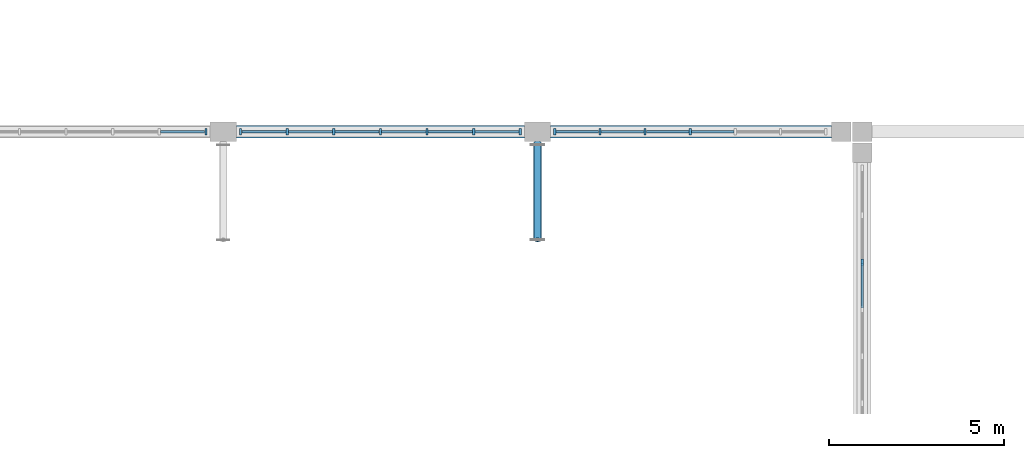
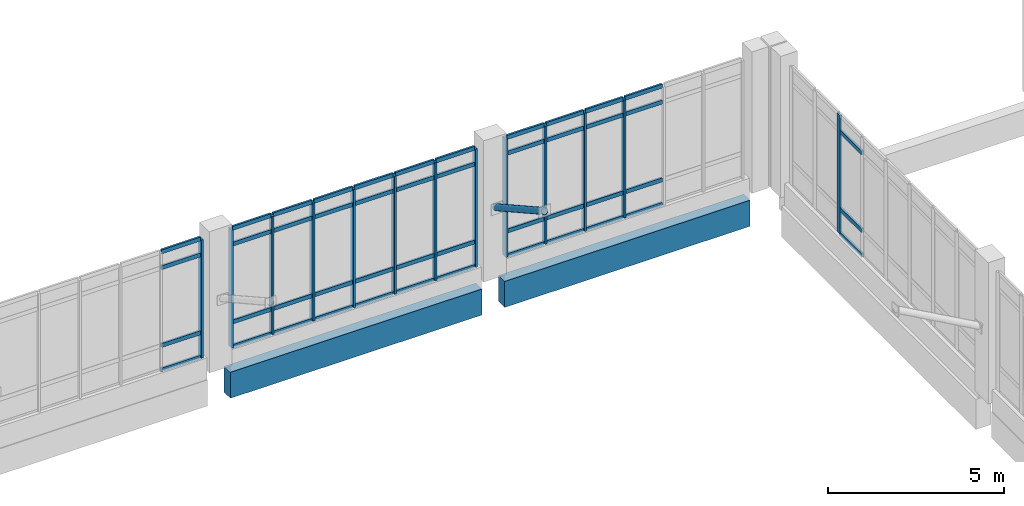
# One storey, part 42 of 110: 61 members, 2 beams, 4 elements without a shape of their own.
"""IFC4 building model written with IfcOpenShell, lengths in metres."""

from ifc_helpers import new_model, si_unit, direction, frame, origin, origin_2d, place, context, subcontext, project, spatial, rectangle, hollow_circle, extrude, material, layer, layer_set, material_profile, profile_set, type_object, element, aggregate, save


model = new_model("IFC4")

# Units and contexts
model_context = context("Model", 3, precision=1e-05, world=origin(), true_north=direction((0.0, 1.0)))
body_context = subcontext(model_context, "Body", "Model", "MODEL_VIEW")
ifc_project = project(units=[si_unit("LENGTHUNIT", "METRE"), si_unit("AREAUNIT", "SQUARE_METRE"), si_unit("VOLUMEUNIT", "CUBIC_METRE"), si_unit("PLANEANGLEUNIT", "RADIAN"), si_unit("MASSUNIT", "GRAM", prefix="KILO")], contexts=[model_context])

# Site, building, storey
site_placement = place(None, origin())
site = spatial("IfcSite", under=ifc_project, at=site_placement, CompositionType="ELEMENT")
building_placement = place(site_placement, origin())
building = spatial("IfcBuilding", under=site, at=building_placement, Name="Zacnel Wholesale Market", CompositionType="ELEMENT")
storey_placement = place(building_placement, frame((0.0, 0.0, 6.300048828125)))
storey = spatial("IfcBuildingStorey", under=building, at=storey_placement, Name="L02", CompositionType="ELEMENT", Elevation=6.300048828125)

# Beams
ifc_material_1 = material(Name="Precast concrete C45/55", Category="concrete")
ifc_material_profile_1 = material_profile(ifc_material_1, rectangle(XDim=0.35009765625, YDim=0.89990234375, at=origin_2d()), Name="SP 350x900")
ifc_profile_set_1 = profile_set([ifc_material_profile_1], Name="Precast concrete C45/55")
beam_type = type_object("IfcBeamType", Name="BM-SP900", PredefinedType="SPANDREL", material=ifc_profile_set_1)
beam_1_placement = place(storey_placement, frame((126.375, 96.300048828125, -0.75), z_axis=(1.0, 0.0, 0.0), x_axis=(0.0, 1.0, 0.0)))
element("IfcBeam", 1, at=beam_1_placement, inside=storey, type_object=beam_type, Name="Precast girder X-0235", PredefinedType="SPANDREL", context=body_context, shape_type="SweptSolid", body=[
    extrude(rectangle(XDim=0.35009765625, YDim=0.89990234375, at=origin_2d()), origin(), (0.0, 0.0, 1.0), 8.25),
])
beam_2_placement = place(storey_placement, frame((135.375, 96.300048828125, -0.75), z_axis=(1.0, 0.0, 0.0), x_axis=(0.0, 1.0, 0.0)))
element("IfcBeam", 2, at=beam_2_placement, inside=storey, type_object=beam_type, Name="Precast girder X-0236", PredefinedType="SPANDREL", context=body_context, shape_type="SweptSolid", body=[
    extrude(rectangle(XDim=0.35009765625, YDim=0.89990234375, at=origin_2d()), origin(), (0.0, 0.0, 1.0), 8.050048828125),
])

# Curtain wall, member
ifc_material_2 = material(Name="Anodised aluminium", Category="aluminium")
ifc_layer = layer(ifc_material_2, 0.159912109375)
ifc_layer_set = layer_set([ifc_layer], Name="Anodised aluminium")
curtain_wall_type = type_object("IfcCurtainWallType", Name="CW-NAVE-4200", PredefinedType="NOTDEFINED", material=ifc_layer_set)
curtain_wall_1_placement = place(storey_placement, origin())
curtain_wall_1 = element("IfcCurtainWall", 3, at=curtain_wall_1_placement, inside=storey, type_object=curtain_wall_type, Name="Curtain wall ENV-R2-CW-L02-025", PredefinedType="NOTDEFINED")
ifc_material_3 = material(Name="Anodised aluminium", Category="aluminium")
ifc_material_profile_2 = material_profile(ifc_material_3, rectangle(XDim=0.06494140625, YDim=0.179931640625, at=origin_2d()), Name="AW-MULLION 65x180")
ifc_profile_set_2 = profile_set([ifc_material_profile_2], Name="Anodised aluminium")
member_type_1 = type_object("IfcMemberType", Name="CWM-MUL-03", PredefinedType="MULLION", material=ifc_profile_set_2)
member_1_placement = place(storey_placement, frame((125.5048828125, 96.300048828125, 0.449951171875), z_axis=(0.0, 0.0, 1.0), x_axis=(1.0, 0.0, 0.0)))
member_1 = element("IfcMember", 4, at=member_1_placement, type_object=member_type_1, Name="ENV-R2-CW-L02-025 mullion 07", PredefinedType="MULLION", context=body_context, shape_type="SweptSolid", body=[
    extrude(rectangle(XDim=0.06494140625, YDim=0.179931640625, at=origin_2d()), origin(), (0.0, 0.0, 1.0), 4.10009765625),
])

# Curtain wall, members
curtain_wall_2_placement = place(storey_placement, origin())
curtain_wall_2 = element("IfcCurtainWall", 5, at=curtain_wall_2_placement, inside=storey, type_object=curtain_wall_type, Name="Curtain wall ENV-R2-CW-L02-026", PredefinedType="NOTDEFINED")
member_2_placement = place(storey_placement, frame((126.4951171875, 96.300048828125, 0.449951171875), z_axis=(0.0, 0.0, 1.0), x_axis=(1.0, 0.0, 0.0)))
member_2 = element("IfcMember", 6, at=member_2_placement, type_object=member_type_1, Name="ENV-R2-CW-L02-026 mullion 01", PredefinedType="MULLION", context=body_context, shape_type="SweptSolid", body=[
    extrude(rectangle(XDim=0.06494140625, YDim=0.179931640625, at=origin_2d()), origin(), (0.0, 0.0, 1.0), 4.10009765625),
])
member_3_placement = place(storey_placement, frame((127.830078125, 96.300048828125, 0.449951171875), z_axis=(0.0, 0.0, 1.0), x_axis=(1.0, 0.0, 0.0)))
member_3 = element("IfcMember", 7, at=member_3_placement, type_object=member_type_1, Name="ENV-R2-CW-L02-026 mullion 02", PredefinedType="MULLION", context=body_context, shape_type="SweptSolid", body=[
    extrude(rectangle(XDim=0.06494140625, YDim=0.179931640625, at=origin_2d()), origin(), (0.0, 0.0, 1.0), 4.10009765625),
])
member_4_placement = place(storey_placement, frame((129.1650390625, 96.300048828125, 0.449951171875), z_axis=(0.0, 0.0, 1.0), x_axis=(1.0, 0.0, 0.0)))
member_4 = element("IfcMember", 8, at=member_4_placement, type_object=member_type_1, Name="ENV-R2-CW-L02-026 mullion 03", PredefinedType="MULLION", context=body_context, shape_type="SweptSolid", body=[
    extrude(rectangle(XDim=0.06494140625, YDim=0.179931640625, at=origin_2d()), origin(), (0.0, 0.0, 1.0), 4.10009765625),
])
member_5_placement = place(storey_placement, frame((130.5, 96.300048828125, 0.449951171875), z_axis=(0.0, 0.0, 1.0), x_axis=(1.0, 0.0, 0.0)))
member_5 = element("IfcMember", 9, at=member_5_placement, type_object=member_type_1, Name="ENV-R2-CW-L02-026 mullion 04", PredefinedType="MULLION", context=body_context, shape_type="SweptSolid", body=[
    extrude(rectangle(XDim=0.06494140625, YDim=0.179931640625, at=origin_2d()), origin(), (0.0, 0.0, 1.0), 4.10009765625),
])
member_6_placement = place(storey_placement, frame((131.8349609375, 96.300048828125, 0.449951171875), z_axis=(0.0, 0.0, 1.0), x_axis=(1.0, 0.0, 0.0)))
member_6 = element("IfcMember", 10, at=member_6_placement, type_object=member_type_1, Name="ENV-R2-CW-L02-026 mullion 05", PredefinedType="MULLION", context=body_context, shape_type="SweptSolid", body=[
    extrude(rectangle(XDim=0.06494140625, YDim=0.179931640625, at=origin_2d()), origin(), (0.0, 0.0, 1.0), 4.10009765625),
])
member_7_placement = place(storey_placement, frame((133.169921875, 96.300048828125, 0.449951171875), z_axis=(0.0, 0.0, 1.0), x_axis=(1.0, 0.0, 0.0)))
member_7 = element("IfcMember", 11, at=member_7_placement, type_object=member_type_1, Name="ENV-R2-CW-L02-026 mullion 06", PredefinedType="MULLION", context=body_context, shape_type="SweptSolid", body=[
    extrude(rectangle(XDim=0.06494140625, YDim=0.179931640625, at=origin_2d()), origin(), (0.0, 0.0, 1.0), 4.10009765625),
])
member_8_placement = place(storey_placement, frame((134.5048828125, 96.300048828125, 0.449951171875), z_axis=(0.0, 0.0, 1.0), x_axis=(1.0, 0.0, 0.0)))
member_8 = element("IfcMember", 12, at=member_8_placement, type_object=member_type_1, Name="ENV-R2-CW-L02-026 mullion 07", PredefinedType="MULLION", context=body_context, shape_type="SweptSolid", body=[
    extrude(rectangle(XDim=0.06494140625, YDim=0.179931640625, at=origin_2d()), origin(), (0.0, 0.0, 1.0), 4.10009765625),
])

curtain_wall_3_placement = place(storey_placement, origin())
curtain_wall_3 = element("IfcCurtainWall", 13, at=curtain_wall_3_placement, inside=storey, type_object=curtain_wall_type, Name="Curtain wall ENV-R2-CW-L02-027", PredefinedType="NOTDEFINED")
member_9_placement = place(storey_placement, frame((135.4951171875, 96.300048828125, 0.449951171875), z_axis=(0.0, 0.0, 1.0), x_axis=(1.0, 0.0, 0.0)))
member_9 = element("IfcMember", 14, at=member_9_placement, type_object=member_type_1, Name="ENV-R2-CW-L02-027 mullion 01", PredefinedType="MULLION", context=body_context, shape_type="SweptSolid", body=[
    extrude(rectangle(XDim=0.06494140625, YDim=0.179931640625, at=origin_2d()), origin(), (0.0, 0.0, 1.0), 4.10009765625),
])
member_10_placement = place(storey_placement, frame((136.78759765625, 96.300048828125, 0.449951171875), z_axis=(0.0, 0.0, 1.0), x_axis=(1.0, 0.0, 0.0)))
member_10 = element("IfcMember", 15, at=member_10_placement, type_object=member_type_1, Name="ENV-R2-CW-L02-027 mullion 02", PredefinedType="MULLION", context=body_context, shape_type="SweptSolid", body=[
    extrude(rectangle(XDim=0.06494140625, YDim=0.179931640625, at=origin_2d()), origin(), (0.0, 0.0, 1.0), 4.10009765625),
])
member_11_placement = place(storey_placement, frame((138.080078125, 96.300048828125, 0.449951171875), z_axis=(0.0, 0.0, 1.0), x_axis=(1.0, 0.0, 0.0)))
member_11 = element("IfcMember", 16, at=member_11_placement, type_object=member_type_1, Name="ENV-R2-CW-L02-027 mullion 03", PredefinedType="MULLION", context=body_context, shape_type="SweptSolid", body=[
    extrude(rectangle(XDim=0.06494140625, YDim=0.179931640625, at=origin_2d()), origin(), (0.0, 0.0, 1.0), 4.10009765625),
])
member_12_placement = place(storey_placement, frame((139.37255859375, 96.300048828125, 0.449951171875), z_axis=(0.0, 0.0, 1.0), x_axis=(1.0, 0.0, 0.0)))
member_12 = element("IfcMember", 17, at=member_12_placement, type_object=member_type_1, Name="ENV-R2-CW-L02-027 mullion 04", PredefinedType="MULLION", context=body_context, shape_type="SweptSolid", body=[
    extrude(rectangle(XDim=0.06494140625, YDim=0.179931640625, at=origin_2d()), origin(), (0.0, 0.0, 1.0), 4.10009765625),
])

# Curtain wall, member
curtain_wall_4_placement = place(storey_placement, origin())
curtain_wall_4 = element("IfcCurtainWall", 18, at=curtain_wall_4_placement, inside=storey, type_object=curtain_wall_type, Name="Curtain wall ENV-R2-CW-L02-045", PredefinedType="NOTDEFINED")
member_13_placement = place(storey_placement, frame((144.300048828125, 92.561279296875, 0.449951171875), z_axis=(0.0, 0.0, 1.0), x_axis=(1.0, 0.0, 0.0)))
member_13 = element("IfcMember", 19, at=member_13_placement, type_object=member_type_1, Name="ENV-R2-CW-L02-045 mullion 07", PredefinedType="MULLION", context=body_context, shape_type="SweptSolid", body=[
    extrude(rectangle(XDim=0.06494140625, YDim=0.179931640625, at=origin_2d()), origin(), (0.0, 0.0, 1.0), 4.10009765625),
])

# Member
ifc_material_4 = material(Name="Anodised aluminium", Category="aluminium")
ifc_material_profile_3 = material_profile(ifc_material_4, rectangle(XDim=0.06494140625, YDim=0.139892578125, at=origin_2d()), Name="AW-TRANSOM 65x140")
ifc_profile_set_3 = profile_set([ifc_material_profile_3], Name="Anodised aluminium")
member_type_2 = type_object("IfcMemberType", Name="CWM-TRN-03", PredefinedType="USERDEFINED", material=ifc_profile_set_3)
member_14_placement = place(storey_placement, frame((124.205078125, 96.300048828125, 0.449951171875), z_axis=(1.0, 0.0, 0.0), x_axis=(0.0, 1.0, 0.0)))
member_14 = element("IfcMember", 20, at=member_14_placement, type_object=member_type_2, Name="ENV-R2-CW-L02-025 transom 6-1", ObjectType="TRANSOM", PredefinedType="USERDEFINED", context=body_context, shape_type="SweptSolid", body=[
    extrude(rectangle(XDim=0.06494140625, YDim=0.139892578125, at=origin_2d()), origin(), (0.0, 0.0, 1.0), 1.264892578125),
])

member_15_placement = place(storey_placement, frame((124.205078125, 96.300048828125, 1.300048828125), z_axis=(1.0, 0.0, 0.0), x_axis=(0.0, 1.0, 0.0)))
member_15 = element("IfcMember", 21, at=member_15_placement, type_object=member_type_2, Name="ENV-R2-CW-L02-025 transom 6-2", ObjectType="TRANSOM", PredefinedType="USERDEFINED", context=body_context, shape_type="SweptSolid", body=[
    extrude(rectangle(XDim=0.06494140625, YDim=0.139892578125, at=origin_2d()), origin(), (0.0, 0.0, 1.0), 1.264892578125),
])

member_16_placement = place(storey_placement, frame((124.205078125, 96.300048828125, 4.0), z_axis=(1.0, 0.0, 0.0), x_axis=(0.0, 1.0, 0.0)))
member_16 = element("IfcMember", 22, at=member_16_placement, type_object=member_type_2, Name="ENV-R2-CW-L02-025 transom 6-3", ObjectType="TRANSOM", PredefinedType="USERDEFINED", context=body_context, shape_type="SweptSolid", body=[
    extrude(rectangle(XDim=0.06494140625, YDim=0.139892578125, at=origin_2d()), origin(), (0.0, 0.0, 1.0), 1.264892578125),
])

member_17_placement = place(storey_placement, frame((124.205078125, 96.300048828125, 4.550048828125), z_axis=(1.0, 0.0, 0.0), x_axis=(0.0, 1.0, 0.0)))
member_17 = element("IfcMember", 23, at=member_17_placement, type_object=member_type_2, Name="ENV-R2-CW-L02-025 transom 6-4", ObjectType="TRANSOM", PredefinedType="USERDEFINED", context=body_context, shape_type="SweptSolid", body=[
    extrude(rectangle(XDim=0.06494140625, YDim=0.139892578125, at=origin_2d()), origin(), (0.0, 0.0, 1.0), 1.264892578125),
])

aggregate(curtain_wall_1, [member_1, member_14, member_15, member_16, member_17])

member_18_placement = place(storey_placement, frame((126.530029296875, 96.300048828125, 0.449951171875), z_axis=(1.0, 0.0, 0.0), x_axis=(0.0, 1.0, 0.0)))
member_18 = element("IfcMember", 24, at=member_18_placement, type_object=member_type_2, Name="ENV-R2-CW-L02-026 transom 1-1", ObjectType="TRANSOM", PredefinedType="USERDEFINED", context=body_context, shape_type="SweptSolid", body=[
    extrude(rectangle(XDim=0.06494140625, YDim=0.139892578125, at=origin_2d()), origin(), (0.0, 0.0, 1.0), 1.264892578125),
])

member_19_placement = place(storey_placement, frame((126.530029296875, 96.300048828125, 1.300048828125), z_axis=(1.0, 0.0, 0.0), x_axis=(0.0, 1.0, 0.0)))
member_19 = element("IfcMember", 25, at=member_19_placement, type_object=member_type_2, Name="ENV-R2-CW-L02-026 transom 1-2", ObjectType="TRANSOM", PredefinedType="USERDEFINED", context=body_context, shape_type="SweptSolid", body=[
    extrude(rectangle(XDim=0.06494140625, YDim=0.139892578125, at=origin_2d()), origin(), (0.0, 0.0, 1.0), 1.264892578125),
])

member_20_placement = place(storey_placement, frame((126.530029296875, 96.300048828125, 4.0), z_axis=(1.0, 0.0, 0.0), x_axis=(0.0, 1.0, 0.0)))
member_20 = element("IfcMember", 26, at=member_20_placement, type_object=member_type_2, Name="ENV-R2-CW-L02-026 transom 1-3", ObjectType="TRANSOM", PredefinedType="USERDEFINED", context=body_context, shape_type="SweptSolid", body=[
    extrude(rectangle(XDim=0.06494140625, YDim=0.139892578125, at=origin_2d()), origin(), (0.0, 0.0, 1.0), 1.264892578125),
])

member_21_placement = place(storey_placement, frame((126.530029296875, 96.300048828125, 4.550048828125), z_axis=(1.0, 0.0, 0.0), x_axis=(0.0, 1.0, 0.0)))
member_21 = element("IfcMember", 27, at=member_21_placement, type_object=member_type_2, Name="ENV-R2-CW-L02-026 transom 1-4", ObjectType="TRANSOM", PredefinedType="USERDEFINED", context=body_context, shape_type="SweptSolid", body=[
    extrude(rectangle(XDim=0.06494140625, YDim=0.139892578125, at=origin_2d()), origin(), (0.0, 0.0, 1.0), 1.264892578125),
])

member_22_placement = place(storey_placement, frame((127.864990234375, 96.300048828125, 0.449951171875), z_axis=(1.0, 0.0, 0.0), x_axis=(0.0, 1.0, 0.0)))
member_22 = element("IfcMember", 28, at=member_22_placement, type_object=member_type_2, Name="ENV-R2-CW-L02-026 transom 2-1", ObjectType="TRANSOM", PredefinedType="USERDEFINED", context=body_context, shape_type="SweptSolid", body=[
    extrude(rectangle(XDim=0.06494140625, YDim=0.139892578125, at=origin_2d()), origin(), (0.0, 0.0, 1.0), 1.264892578125),
])

member_23_placement = place(storey_placement, frame((127.864990234375, 96.300048828125, 1.300048828125), z_axis=(1.0, 0.0, 0.0), x_axis=(0.0, 1.0, 0.0)))
member_23 = element("IfcMember", 29, at=member_23_placement, type_object=member_type_2, Name="ENV-R2-CW-L02-026 transom 2-2", ObjectType="TRANSOM", PredefinedType="USERDEFINED", context=body_context, shape_type="SweptSolid", body=[
    extrude(rectangle(XDim=0.06494140625, YDim=0.139892578125, at=origin_2d()), origin(), (0.0, 0.0, 1.0), 1.264892578125),
])

member_24_placement = place(storey_placement, frame((127.864990234375, 96.300048828125, 4.0), z_axis=(1.0, 0.0, 0.0), x_axis=(0.0, 1.0, 0.0)))
member_24 = element("IfcMember", 30, at=member_24_placement, type_object=member_type_2, Name="ENV-R2-CW-L02-026 transom 2-3", ObjectType="TRANSOM", PredefinedType="USERDEFINED", context=body_context, shape_type="SweptSolid", body=[
    extrude(rectangle(XDim=0.06494140625, YDim=0.139892578125, at=origin_2d()), origin(), (0.0, 0.0, 1.0), 1.264892578125),
])

member_25_placement = place(storey_placement, frame((127.864990234375, 96.300048828125, 4.550048828125), z_axis=(1.0, 0.0, 0.0), x_axis=(0.0, 1.0, 0.0)))
member_25 = element("IfcMember", 31, at=member_25_placement, type_object=member_type_2, Name="ENV-R2-CW-L02-026 transom 2-4", ObjectType="TRANSOM", PredefinedType="USERDEFINED", context=body_context, shape_type="SweptSolid", body=[
    extrude(rectangle(XDim=0.06494140625, YDim=0.139892578125, at=origin_2d()), origin(), (0.0, 0.0, 1.0), 1.264892578125),
])

member_26_placement = place(storey_placement, frame((129.199951171875, 96.300048828125, 0.449951171875), z_axis=(1.0, 0.0, 0.0), x_axis=(0.0, 1.0, 0.0)))
member_26 = element("IfcMember", 32, at=member_26_placement, type_object=member_type_2, Name="ENV-R2-CW-L02-026 transom 3-1", ObjectType="TRANSOM", PredefinedType="USERDEFINED", context=body_context, shape_type="SweptSolid", body=[
    extrude(rectangle(XDim=0.06494140625, YDim=0.139892578125, at=origin_2d()), origin(), (0.0, 0.0, 1.0), 1.26513671875),
])

member_27_placement = place(storey_placement, frame((129.199951171875, 96.300048828125, 1.300048828125), z_axis=(1.0, 0.0, 0.0), x_axis=(0.0, 1.0, 0.0)))
member_27 = element("IfcMember", 33, at=member_27_placement, type_object=member_type_2, Name="ENV-R2-CW-L02-026 transom 3-2", ObjectType="TRANSOM", PredefinedType="USERDEFINED", context=body_context, shape_type="SweptSolid", body=[
    extrude(rectangle(XDim=0.06494140625, YDim=0.139892578125, at=origin_2d()), origin(), (0.0, 0.0, 1.0), 1.26513671875),
])

member_28_placement = place(storey_placement, frame((129.199951171875, 96.300048828125, 4.0), z_axis=(1.0, 0.0, 0.0), x_axis=(0.0, 1.0, 0.0)))
member_28 = element("IfcMember", 34, at=member_28_placement, type_object=member_type_2, Name="ENV-R2-CW-L02-026 transom 3-3", ObjectType="TRANSOM", PredefinedType="USERDEFINED", context=body_context, shape_type="SweptSolid", body=[
    extrude(rectangle(XDim=0.06494140625, YDim=0.139892578125, at=origin_2d()), origin(), (0.0, 0.0, 1.0), 1.26513671875),
])

member_29_placement = place(storey_placement, frame((129.199951171875, 96.300048828125, 4.550048828125), z_axis=(1.0, 0.0, 0.0), x_axis=(0.0, 1.0, 0.0)))
member_29 = element("IfcMember", 35, at=member_29_placement, type_object=member_type_2, Name="ENV-R2-CW-L02-026 transom 3-4", ObjectType="TRANSOM", PredefinedType="USERDEFINED", context=body_context, shape_type="SweptSolid", body=[
    extrude(rectangle(XDim=0.06494140625, YDim=0.139892578125, at=origin_2d()), origin(), (0.0, 0.0, 1.0), 1.26513671875),
])

member_30_placement = place(storey_placement, frame((130.534912109375, 96.300048828125, 0.449951171875), z_axis=(1.0, 0.0, 0.0), x_axis=(0.0, 1.0, 0.0)))
member_30 = element("IfcMember", 36, at=member_30_placement, type_object=member_type_2, Name="ENV-R2-CW-L02-026 transom 4-1", ObjectType="TRANSOM", PredefinedType="USERDEFINED", context=body_context, shape_type="SweptSolid", body=[
    extrude(rectangle(XDim=0.06494140625, YDim=0.139892578125, at=origin_2d()), origin(), (0.0, 0.0, 1.0), 1.26513671875),
])

member_31_placement = place(storey_placement, frame((130.534912109375, 96.300048828125, 1.300048828125), z_axis=(1.0, 0.0, 0.0), x_axis=(0.0, 1.0, 0.0)))
member_31 = element("IfcMember", 37, at=member_31_placement, type_object=member_type_2, Name="ENV-R2-CW-L02-026 transom 4-2", ObjectType="TRANSOM", PredefinedType="USERDEFINED", context=body_context, shape_type="SweptSolid", body=[
    extrude(rectangle(XDim=0.06494140625, YDim=0.139892578125, at=origin_2d()), origin(), (0.0, 0.0, 1.0), 1.26513671875),
])

member_32_placement = place(storey_placement, frame((130.534912109375, 96.300048828125, 4.0), z_axis=(1.0, 0.0, 0.0), x_axis=(0.0, 1.0, 0.0)))
member_32 = element("IfcMember", 38, at=member_32_placement, type_object=member_type_2, Name="ENV-R2-CW-L02-026 transom 4-3", ObjectType="TRANSOM", PredefinedType="USERDEFINED", context=body_context, shape_type="SweptSolid", body=[
    extrude(rectangle(XDim=0.06494140625, YDim=0.139892578125, at=origin_2d()), origin(), (0.0, 0.0, 1.0), 1.26513671875),
])

member_33_placement = place(storey_placement, frame((130.534912109375, 96.300048828125, 4.550048828125), z_axis=(1.0, 0.0, 0.0), x_axis=(0.0, 1.0, 0.0)))
member_33 = element("IfcMember", 39, at=member_33_placement, type_object=member_type_2, Name="ENV-R2-CW-L02-026 transom 4-4", ObjectType="TRANSOM", PredefinedType="USERDEFINED", context=body_context, shape_type="SweptSolid", body=[
    extrude(rectangle(XDim=0.06494140625, YDim=0.139892578125, at=origin_2d()), origin(), (0.0, 0.0, 1.0), 1.26513671875),
])

member_34_placement = place(storey_placement, frame((131.8701171875, 96.300048828125, 0.449951171875), z_axis=(1.0, 0.0, 0.0), x_axis=(0.0, 1.0, 0.0)))
member_34 = element("IfcMember", 40, at=member_34_placement, type_object=member_type_2, Name="ENV-R2-CW-L02-026 transom 5-1", ObjectType="TRANSOM", PredefinedType="USERDEFINED", context=body_context, shape_type="SweptSolid", body=[
    extrude(rectangle(XDim=0.06494140625, YDim=0.139892578125, at=origin_2d()), origin(), (0.0, 0.0, 1.0), 1.264892578125),
])

member_35_placement = place(storey_placement, frame((131.8701171875, 96.300048828125, 1.300048828125), z_axis=(1.0, 0.0, 0.0), x_axis=(0.0, 1.0, 0.0)))
member_35 = element("IfcMember", 41, at=member_35_placement, type_object=member_type_2, Name="ENV-R2-CW-L02-026 transom 5-2", ObjectType="TRANSOM", PredefinedType="USERDEFINED", context=body_context, shape_type="SweptSolid", body=[
    extrude(rectangle(XDim=0.06494140625, YDim=0.139892578125, at=origin_2d()), origin(), (0.0, 0.0, 1.0), 1.264892578125),
])

member_36_placement = place(storey_placement, frame((131.8701171875, 96.300048828125, 4.0), z_axis=(1.0, 0.0, 0.0), x_axis=(0.0, 1.0, 0.0)))
member_36 = element("IfcMember", 42, at=member_36_placement, type_object=member_type_2, Name="ENV-R2-CW-L02-026 transom 5-3", ObjectType="TRANSOM", PredefinedType="USERDEFINED", context=body_context, shape_type="SweptSolid", body=[
    extrude(rectangle(XDim=0.06494140625, YDim=0.139892578125, at=origin_2d()), origin(), (0.0, 0.0, 1.0), 1.264892578125),
])

member_37_placement = place(storey_placement, frame((131.8701171875, 96.300048828125, 4.550048828125), z_axis=(1.0, 0.0, 0.0), x_axis=(0.0, 1.0, 0.0)))
member_37 = element("IfcMember", 43, at=member_37_placement, type_object=member_type_2, Name="ENV-R2-CW-L02-026 transom 5-4", ObjectType="TRANSOM", PredefinedType="USERDEFINED", context=body_context, shape_type="SweptSolid", body=[
    extrude(rectangle(XDim=0.06494140625, YDim=0.139892578125, at=origin_2d()), origin(), (0.0, 0.0, 1.0), 1.264892578125),
])

member_38_placement = place(storey_placement, frame((133.205078125, 96.300048828125, 0.449951171875), z_axis=(1.0, 0.0, 0.0), x_axis=(0.0, 1.0, 0.0)))
member_38 = element("IfcMember", 44, at=member_38_placement, type_object=member_type_2, Name="ENV-R2-CW-L02-026 transom 6-1", ObjectType="TRANSOM", PredefinedType="USERDEFINED", context=body_context, shape_type="SweptSolid", body=[
    extrude(rectangle(XDim=0.06494140625, YDim=0.139892578125, at=origin_2d()), origin(), (0.0, 0.0, 1.0), 1.264892578125),
])

member_39_placement = place(storey_placement, frame((133.205078125, 96.300048828125, 1.300048828125), z_axis=(1.0, 0.0, 0.0), x_axis=(0.0, 1.0, 0.0)))
member_39 = element("IfcMember", 45, at=member_39_placement, type_object=member_type_2, Name="ENV-R2-CW-L02-026 transom 6-2", ObjectType="TRANSOM", PredefinedType="USERDEFINED", context=body_context, shape_type="SweptSolid", body=[
    extrude(rectangle(XDim=0.06494140625, YDim=0.139892578125, at=origin_2d()), origin(), (0.0, 0.0, 1.0), 1.264892578125),
])

member_40_placement = place(storey_placement, frame((133.205078125, 96.300048828125, 4.0), z_axis=(1.0, 0.0, 0.0), x_axis=(0.0, 1.0, 0.0)))
member_40 = element("IfcMember", 46, at=member_40_placement, type_object=member_type_2, Name="ENV-R2-CW-L02-026 transom 6-3", ObjectType="TRANSOM", PredefinedType="USERDEFINED", context=body_context, shape_type="SweptSolid", body=[
    extrude(rectangle(XDim=0.06494140625, YDim=0.139892578125, at=origin_2d()), origin(), (0.0, 0.0, 1.0), 1.264892578125),
])

member_41_placement = place(storey_placement, frame((133.205078125, 96.300048828125, 4.550048828125), z_axis=(1.0, 0.0, 0.0), x_axis=(0.0, 1.0, 0.0)))
member_41 = element("IfcMember", 47, at=member_41_placement, type_object=member_type_2, Name="ENV-R2-CW-L02-026 transom 6-4", ObjectType="TRANSOM", PredefinedType="USERDEFINED", context=body_context, shape_type="SweptSolid", body=[
    extrude(rectangle(XDim=0.06494140625, YDim=0.139892578125, at=origin_2d()), origin(), (0.0, 0.0, 1.0), 1.264892578125),
])

aggregate(curtain_wall_2, [member_2, member_3, member_4, member_5, member_6, member_7, member_8, member_18, member_19, member_20, member_21, member_22, member_23, member_24, member_25, member_26, member_27, member_28, member_29, member_30, member_31, member_32, member_33, member_34, member_35, member_36, member_37, member_38, member_39, member_40, member_41])

member_42_placement = place(storey_placement, frame((135.530029296875, 96.300048828125, 0.449951171875), z_axis=(1.0, 0.0, 0.0), x_axis=(0.0, 1.0, 0.0)))
member_42 = element("IfcMember", 48, at=member_42_placement, type_object=member_type_2, Name="ENV-R2-CW-L02-027 transom 1-1", ObjectType="TRANSOM", PredefinedType="USERDEFINED", context=body_context, shape_type="SweptSolid", body=[
    extrude(rectangle(XDim=0.06494140625, YDim=0.139892578125, at=origin_2d()), origin(), (0.0, 0.0, 1.0), 1.222412109375),
])

member_43_placement = place(storey_placement, frame((135.530029296875, 96.300048828125, 1.300048828125), z_axis=(1.0, 0.0, 0.0), x_axis=(0.0, 1.0, 0.0)))
member_43 = element("IfcMember", 49, at=member_43_placement, type_object=member_type_2, Name="ENV-R2-CW-L02-027 transom 1-2", ObjectType="TRANSOM", PredefinedType="USERDEFINED", context=body_context, shape_type="SweptSolid", body=[
    extrude(rectangle(XDim=0.06494140625, YDim=0.139892578125, at=origin_2d()), origin(), (0.0, 0.0, 1.0), 1.222412109375),
])

member_44_placement = place(storey_placement, frame((135.530029296875, 96.300048828125, 4.0), z_axis=(1.0, 0.0, 0.0), x_axis=(0.0, 1.0, 0.0)))
member_44 = element("IfcMember", 50, at=member_44_placement, type_object=member_type_2, Name="ENV-R2-CW-L02-027 transom 1-3", ObjectType="TRANSOM", PredefinedType="USERDEFINED", context=body_context, shape_type="SweptSolid", body=[
    extrude(rectangle(XDim=0.06494140625, YDim=0.139892578125, at=origin_2d()), origin(), (0.0, 0.0, 1.0), 1.222412109375),
])

member_45_placement = place(storey_placement, frame((135.530029296875, 96.300048828125, 4.550048828125), z_axis=(1.0, 0.0, 0.0), x_axis=(0.0, 1.0, 0.0)))
member_45 = element("IfcMember", 51, at=member_45_placement, type_object=member_type_2, Name="ENV-R2-CW-L02-027 transom 1-4", ObjectType="TRANSOM", PredefinedType="USERDEFINED", context=body_context, shape_type="SweptSolid", body=[
    extrude(rectangle(XDim=0.06494140625, YDim=0.139892578125, at=origin_2d()), origin(), (0.0, 0.0, 1.0), 1.222412109375),
])

member_46_placement = place(storey_placement, frame((136.822509765625, 96.300048828125, 0.449951171875), z_axis=(1.0, 0.0, 0.0), x_axis=(0.0, 1.0, 0.0)))
member_46 = element("IfcMember", 52, at=member_46_placement, type_object=member_type_2, Name="ENV-R2-CW-L02-027 transom 2-1", ObjectType="TRANSOM", PredefinedType="USERDEFINED", context=body_context, shape_type="SweptSolid", body=[
    extrude(rectangle(XDim=0.06494140625, YDim=0.139892578125, at=origin_2d()), origin(), (0.0, 0.0, 1.0), 1.222412109375),
])

member_47_placement = place(storey_placement, frame((136.822509765625, 96.300048828125, 1.300048828125), z_axis=(1.0, 0.0, 0.0), x_axis=(0.0, 1.0, 0.0)))
member_47 = element("IfcMember", 53, at=member_47_placement, type_object=member_type_2, Name="ENV-R2-CW-L02-027 transom 2-2", ObjectType="TRANSOM", PredefinedType="USERDEFINED", context=body_context, shape_type="SweptSolid", body=[
    extrude(rectangle(XDim=0.06494140625, YDim=0.139892578125, at=origin_2d()), origin(), (0.0, 0.0, 1.0), 1.222412109375),
])

member_48_placement = place(storey_placement, frame((136.822509765625, 96.300048828125, 4.0), z_axis=(1.0, 0.0, 0.0), x_axis=(0.0, 1.0, 0.0)))
member_48 = element("IfcMember", 54, at=member_48_placement, type_object=member_type_2, Name="ENV-R2-CW-L02-027 transom 2-3", ObjectType="TRANSOM", PredefinedType="USERDEFINED", context=body_context, shape_type="SweptSolid", body=[
    extrude(rectangle(XDim=0.06494140625, YDim=0.139892578125, at=origin_2d()), origin(), (0.0, 0.0, 1.0), 1.222412109375),
])

member_49_placement = place(storey_placement, frame((136.822509765625, 96.300048828125, 4.550048828125), z_axis=(1.0, 0.0, 0.0), x_axis=(0.0, 1.0, 0.0)))
member_49 = element("IfcMember", 55, at=member_49_placement, type_object=member_type_2, Name="ENV-R2-CW-L02-027 transom 2-4", ObjectType="TRANSOM", PredefinedType="USERDEFINED", context=body_context, shape_type="SweptSolid", body=[
    extrude(rectangle(XDim=0.06494140625, YDim=0.139892578125, at=origin_2d()), origin(), (0.0, 0.0, 1.0), 1.222412109375),
])

member_50_placement = place(storey_placement, frame((138.114990234375, 96.300048828125, 0.449951171875), z_axis=(1.0, 0.0, 0.0), x_axis=(0.0, 1.0, 0.0)))
member_50 = element("IfcMember", 56, at=member_50_placement, type_object=member_type_2, Name="ENV-R2-CW-L02-027 transom 3-1", ObjectType="TRANSOM", PredefinedType="USERDEFINED", context=body_context, shape_type="SweptSolid", body=[
    extrude(rectangle(XDim=0.06494140625, YDim=0.139892578125, at=origin_2d()), origin(), (0.0, 0.0, 1.0), 1.222412109375),
])

member_51_placement = place(storey_placement, frame((138.114990234375, 96.300048828125, 1.300048828125), z_axis=(1.0, 0.0, 0.0), x_axis=(0.0, 1.0, 0.0)))
member_51 = element("IfcMember", 57, at=member_51_placement, type_object=member_type_2, Name="ENV-R2-CW-L02-027 transom 3-2", ObjectType="TRANSOM", PredefinedType="USERDEFINED", context=body_context, shape_type="SweptSolid", body=[
    extrude(rectangle(XDim=0.06494140625, YDim=0.139892578125, at=origin_2d()), origin(), (0.0, 0.0, 1.0), 1.222412109375),
])

member_52_placement = place(storey_placement, frame((138.114990234375, 96.300048828125, 4.0), z_axis=(1.0, 0.0, 0.0), x_axis=(0.0, 1.0, 0.0)))
member_52 = element("IfcMember", 58, at=member_52_placement, type_object=member_type_2, Name="ENV-R2-CW-L02-027 transom 3-3", ObjectType="TRANSOM", PredefinedType="USERDEFINED", context=body_context, shape_type="SweptSolid", body=[
    extrude(rectangle(XDim=0.06494140625, YDim=0.139892578125, at=origin_2d()), origin(), (0.0, 0.0, 1.0), 1.222412109375),
])

member_53_placement = place(storey_placement, frame((138.114990234375, 96.300048828125, 4.550048828125), z_axis=(1.0, 0.0, 0.0), x_axis=(0.0, 1.0, 0.0)))
member_53 = element("IfcMember", 59, at=member_53_placement, type_object=member_type_2, Name="ENV-R2-CW-L02-027 transom 3-4", ObjectType="TRANSOM", PredefinedType="USERDEFINED", context=body_context, shape_type="SweptSolid", body=[
    extrude(rectangle(XDim=0.06494140625, YDim=0.139892578125, at=origin_2d()), origin(), (0.0, 0.0, 1.0), 1.222412109375),
])

member_54_placement = place(storey_placement, frame((139.407470703125, 96.300048828125, 0.449951171875), z_axis=(1.0, 0.0, 0.0), x_axis=(0.0, 1.0, 0.0)))
member_54 = element("IfcMember", 60, at=member_54_placement, type_object=member_type_2, Name="ENV-R2-CW-L02-027 transom 4-1", ObjectType="TRANSOM", PredefinedType="USERDEFINED", context=body_context, shape_type="SweptSolid", body=[
    extrude(rectangle(XDim=0.06494140625, YDim=0.139892578125, at=origin_2d()), origin(), (0.0, 0.0, 1.0), 1.222412109375),
])

member_55_placement = place(storey_placement, frame((139.407470703125, 96.300048828125, 1.300048828125), z_axis=(1.0, 0.0, 0.0), x_axis=(0.0, 1.0, 0.0)))
member_55 = element("IfcMember", 61, at=member_55_placement, type_object=member_type_2, Name="ENV-R2-CW-L02-027 transom 4-2", ObjectType="TRANSOM", PredefinedType="USERDEFINED", context=body_context, shape_type="SweptSolid", body=[
    extrude(rectangle(XDim=0.06494140625, YDim=0.139892578125, at=origin_2d()), origin(), (0.0, 0.0, 1.0), 1.222412109375),
])

member_56_placement = place(storey_placement, frame((139.407470703125, 96.300048828125, 4.0), z_axis=(1.0, 0.0, 0.0), x_axis=(0.0, 1.0, 0.0)))
member_56 = element("IfcMember", 62, at=member_56_placement, type_object=member_type_2, Name="ENV-R2-CW-L02-027 transom 4-3", ObjectType="TRANSOM", PredefinedType="USERDEFINED", context=body_context, shape_type="SweptSolid", body=[
    extrude(rectangle(XDim=0.06494140625, YDim=0.139892578125, at=origin_2d()), origin(), (0.0, 0.0, 1.0), 1.222412109375),
])

member_57_placement = place(storey_placement, frame((139.407470703125, 96.300048828125, 4.550048828125), z_axis=(1.0, 0.0, 0.0), x_axis=(0.0, 1.0, 0.0)))
member_57 = element("IfcMember", 63, at=member_57_placement, type_object=member_type_2, Name="ENV-R2-CW-L02-027 transom 4-4", ObjectType="TRANSOM", PredefinedType="USERDEFINED", context=body_context, shape_type="SweptSolid", body=[
    extrude(rectangle(XDim=0.06494140625, YDim=0.139892578125, at=origin_2d()), origin(), (0.0, 0.0, 1.0), 1.222412109375),
])

aggregate(curtain_wall_3, [member_9, member_10, member_11, member_12, member_42, member_43, member_44, member_45, member_46, member_47, member_48, member_49, member_50, member_51, member_52, member_53, member_54, member_55, member_56, member_57])

member_58_placement = place(storey_placement, frame((144.300048828125, 91.251953125, 0.449951171875), z_axis=(0.0, 1.0, 0.0), x_axis=(-1.0, 0.0, 0.0)))
member_58 = element("IfcMember", 64, at=member_58_placement, type_object=member_type_2, Name="ENV-R2-CW-L02-045 transom 6-1", ObjectType="TRANSOM", PredefinedType="USERDEFINED", context=body_context, shape_type="SweptSolid", body=[
    extrude(rectangle(XDim=0.06494140625, YDim=0.139892578125, at=origin_2d()), origin(), (0.0, 0.0, 1.0), 1.2744140625),
])

member_59_placement = place(storey_placement, frame((144.300048828125, 91.251953125, 1.300048828125), z_axis=(0.0, 1.0, 0.0), x_axis=(-1.0, 0.0, 0.0)))
member_59 = element("IfcMember", 65, at=member_59_placement, type_object=member_type_2, Name="ENV-R2-CW-L02-045 transom 6-2", ObjectType="TRANSOM", PredefinedType="USERDEFINED", context=body_context, shape_type="SweptSolid", body=[
    extrude(rectangle(XDim=0.06494140625, YDim=0.139892578125, at=origin_2d()), origin(), (0.0, 0.0, 1.0), 1.2744140625),
])

member_60_placement = place(storey_placement, frame((144.300048828125, 91.251953125, 4.0), z_axis=(0.0, 1.0, 0.0), x_axis=(-1.0, 0.0, 0.0)))
member_60 = element("IfcMember", 66, at=member_60_placement, type_object=member_type_2, Name="ENV-R2-CW-L02-045 transom 6-3", ObjectType="TRANSOM", PredefinedType="USERDEFINED", context=body_context, shape_type="SweptSolid", body=[
    extrude(rectangle(XDim=0.06494140625, YDim=0.139892578125, at=origin_2d()), origin(), (0.0, 0.0, 1.0), 1.2744140625),
])

aggregate(curtain_wall_4, [member_13, member_58, member_59, member_60])

ifc_material_5 = material(Name="Steel S355", Category="steel")
ifc_material_profile_4 = material_profile(ifc_material_5, hollow_circle(Radius=0.109619140625, WallThickness=0.010009765625, at=origin_2d()), Name="CHS 219.1x10")
ifc_profile_set_4 = profile_set([ifc_material_profile_4], Name="Steel S355")
member_type_3 = type_object("IfcMemberType", Name="MEM-STR-CHS219", PredefinedType="STRUT", material=ifc_profile_set_4)
member_61_placement = place(storey_placement, frame((135.0, 95.97998046875, 2.5), z_axis=(0.0, -0.873410930295, 0.48698392873), x_axis=(1.0, 0.0, 0.0)))
element("IfcMember", 67, at=member_61_placement, inside=storey, type_object=member_type_3, Name="Storm eave knee strut 008", PredefinedType="STRUT", context=body_context, shape_type="SweptSolid", body=[
    extrude(hollow_circle(Radius=0.109619140625, WallThickness=0.010009765625, at=origin_2d()), origin(), (0.0, 0.0, 1.0), 3.182861328125),
])

save(model, "model.ifc")
